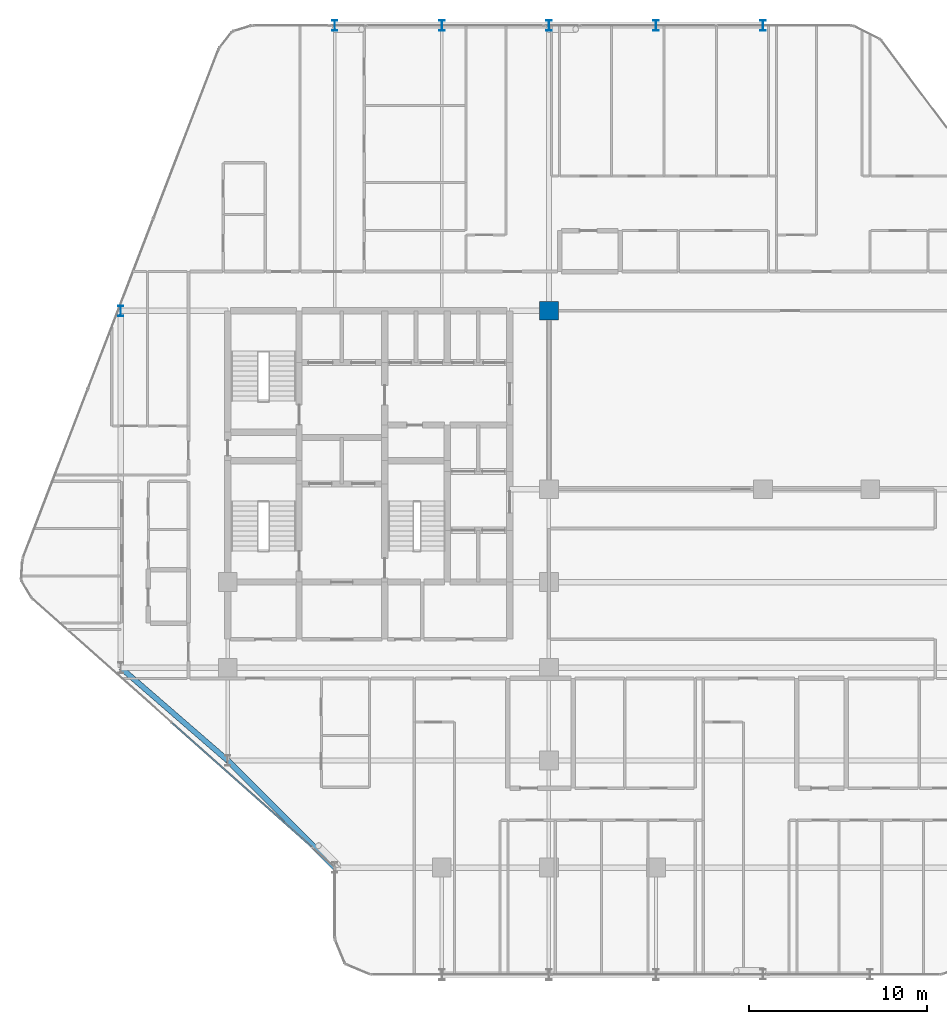
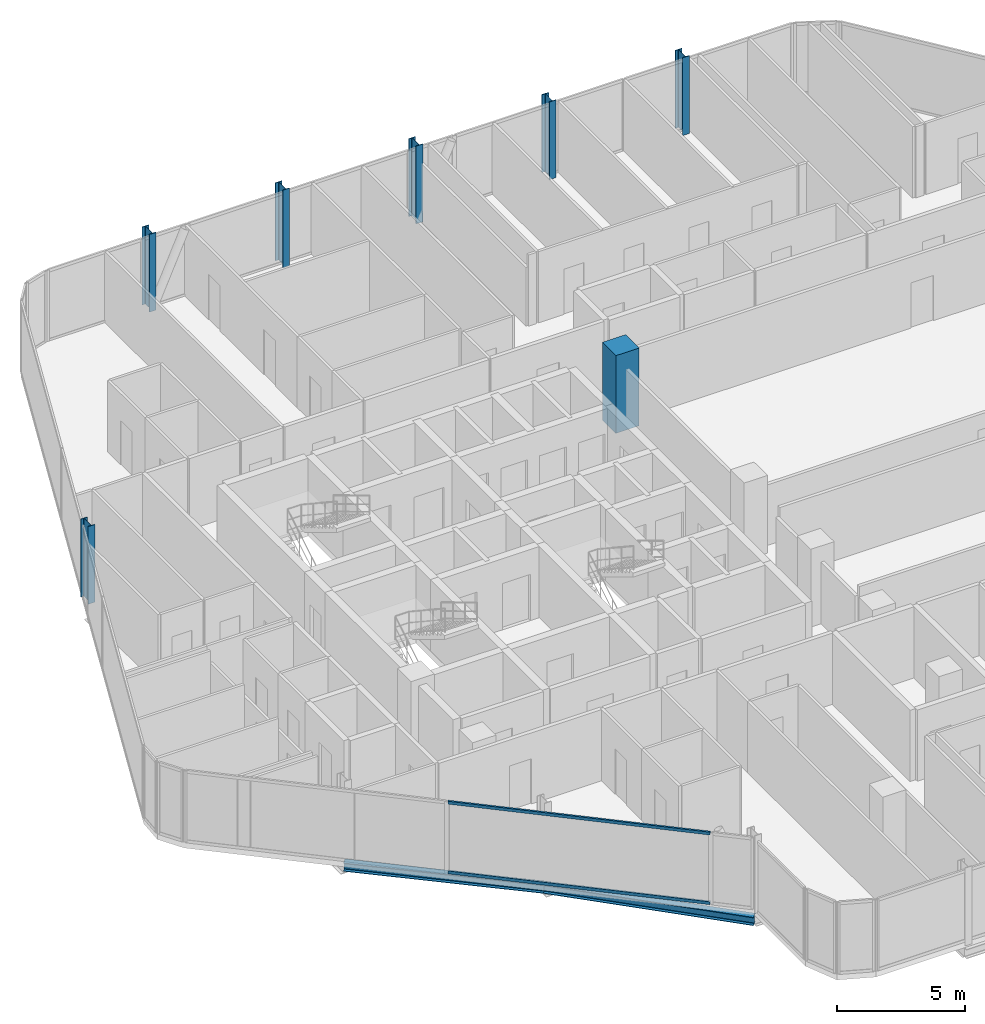
# One storey, part 2 of 30: 7 columns, 2 beams, 2 members, 1 element without a shape of its own.
"""IFC4 building model written with IfcOpenShell, lengths in metres."""

from ifc_helpers import new_model, si_unit, direction, frame, origin, origin_2d, place, context, subcontext, project, spatial, rectangle, hollow_rectangle, i_section, extrude, material, layer, layer_set, material_profile, profile_set, type_object, element, aggregate, save


model = new_model("IFC4")

# Units and contexts
model_context = context("Model", 3, precision=1e-05, world=origin(), true_north=direction((0.0, 1.0)))
body_context = subcontext(model_context, "Body", "Model", "MODEL_VIEW")
ifc_project = project(units=[si_unit("LENGTHUNIT", "METRE"), si_unit("AREAUNIT", "SQUARE_METRE"), si_unit("VOLUMEUNIT", "CUBIC_METRE"), si_unit("PLANEANGLEUNIT", "RADIAN"), si_unit("MASSUNIT", "GRAM", prefix="KILO")], contexts=[model_context])

# Site, building, storey
site_placement = place(None, origin())
site = spatial("IfcSite", under=ifc_project, at=site_placement, CompositionType="ELEMENT")
building_placement = place(site_placement, origin())
building = spatial("IfcBuilding", under=site, at=building_placement, Name="Keshet Zoharim Tower", CompositionType="ELEMENT")
storey_placement = place(building_placement, frame((0.0, 0.0, 90.89990234375)))
storey = spatial("IfcBuildingStorey", under=building, at=storey_placement, Name="L21", CompositionType="ELEMENT", Elevation=90.89990234375)

# Columns
ifc_material_1 = material(Name="Steel S355", Category="steel")
ifc_material_profile_1 = material_profile(ifc_material_1, i_section(OverallWidth=0.300048828125, OverallDepth=0.60009765625, WebThickness=0.015380859375, FlangeThickness=0.030029296875, FilletRadius=0.027099609375, at=origin_2d()), Name="HEB600")
ifc_profile_set_1 = profile_set([ifc_material_profile_1], Name="Steel S355")
column_type_1 = type_object("IfcColumnType", Name="COL-HEB600", PredefinedType="COLUMN", material=ifc_profile_set_1)
for number, where, z_axis, x_axis, name in (
    (1, (9.0, 37.89990234375, 0.0), (0.0, 0.0, 1.0), (1.0, 0.0, 0.0), "L21 Column 2H"),
    (2, (21.0, 53.89990234375, 0.0), (0.0, 0.0, 1.0), (1.0, 0.0, 0.0), "L21 Column 4L"),
    (3, (27.0, 53.89990234375, 0.0), (0.0, 0.0, 1.0), (1.0, 0.0, 0.0), "L21 Column 5L"),
    (4, (33.0, 53.89990234375, 0.0), (0.0, 0.0, 1.0), (1.0, 0.0, 0.0), "L21 Column 6L"),
    (5, (39.0, 53.89990234375, 0.0), (0.0, 0.0, 1.0), (1.0, 0.0, 0.0), "L21 Column 7L"),
    (6, (45.0, 53.89990234375, 0.0), (0.0, 0.0, 1.0), (1.0, 0.0, 0.0), "L21 Column 8L"),
):
    element("IfcColumn", number, at=place(storey_placement, frame(where, z_axis=z_axis, x_axis=x_axis)), inside=storey, type_object=column_type_1, Name=name, PredefinedType="COLUMN", context=body_context, shape_type="SweptSolid", body=[
        extrude(i_section(OverallWidth=0.300048828125, OverallDepth=0.60009765625, WebThickness=0.015380859375, FlangeThickness=0.030029296875, FilletRadius=0.027099609375, at=origin_2d()), origin(), (0.0, 0.0, 1.0), 3.7001953125),
    ])
ifc_material_2 = material(Name="Concrete C60/75", Category="concrete")
ifc_material_profile_2 = material_profile(ifc_material_2, rectangle(XDim=1.050048828125, YDim=1.050048828125, at=origin_2d()), Name="RC1050x1050")
ifc_profile_set_2 = profile_set([ifc_material_profile_2], Name="Concrete C60/75")
column_type_2 = type_object("IfcColumnType", Name="COL-RC1050", PredefinedType="COLUMN", material=ifc_profile_set_2)
column_placement = place(storey_placement, frame((33.0, 37.89990234375, 0.0), z_axis=(0.0, 0.0, 1.0), x_axis=(1.0, 0.0, 0.0)))
element("IfcColumn", 7, at=column_placement, inside=storey, type_object=column_type_2, Name="L21 Column 6H", PredefinedType="COLUMN", context=body_context, shape_type="SweptSolid", body=[
    extrude(rectangle(XDim=1.050048828125, YDim=1.050048828125, at=origin_2d()), origin(), (0.0, 0.0, 1.0), 3.7001953125),
])

# Beams
ifc_material_profile_3 = material_profile(ifc_material_1, i_section(OverallWidth=0.300048828125, OverallDepth=0.39990234375, WebThickness=0.013427734375, FlangeThickness=0.02392578125, FilletRadius=0.027099609375, at=origin_2d()), Name="HEB400")
ifc_profile_set_3 = profile_set([ifc_material_profile_3], Name="Steel S355")
beam_type = type_object("IfcBeamType", Name="BM-SPN-HB400", PredefinedType="SPANDREL", material=ifc_profile_set_3)
beam_1_placement = place(storey_placement, frame((21.0, 6.699951171875, -0.514892578125), z_axis=(-0.707106781187, 0.707106781187, 0.0), x_axis=(-0.707106781187, -0.707106781187, 0.0)))
element("IfcBeam", 8, at=beam_1_placement, inside=storey, type_object=beam_type, Name="L21 Perimeter Spandrel Beam 01", PredefinedType="SPANDREL", context=body_context, shape_type="SweptSolid", body=[
    extrude(i_section(OverallWidth=0.300048828125, OverallDepth=0.39990234375, WebThickness=0.013427734375, FlangeThickness=0.02392578125, FilletRadius=0.027099609375, at=origin_2d()), origin(), (0.0, 0.0, 1.0), 8.4853515625),
])
beam_2_placement = place(storey_placement, frame((9.0, 17.89990234375, -0.514892578125), z_axis=(0.755692126483, -0.654927026447, 0.0), x_axis=(0.654927026447, 0.755692126483, 0.0)))
element("IfcBeam", 9, at=beam_2_placement, inside=storey, type_object=beam_type, Name="L21 Perimeter Spandrel Beam 02", PredefinedType="SPANDREL", context=body_context, shape_type="SweptSolid", body=[
    extrude(i_section(OverallWidth=0.300048828125, OverallDepth=0.39990234375, WebThickness=0.013427734375, FlangeThickness=0.02392578125, FilletRadius=0.027099609375, at=origin_2d()), origin(), (0.0, 0.0, 1.0), 7.939697265625),
])

# Curtain wall, members
ifc_material_3 = material(Name="Aluminium 6063-T6", Category="aluminium")
ifc_layer = layer(ifc_material_3, 0.159912109375)
ifc_layer_set = layer_set([ifc_layer], Name="Aluminium 6063-T6")
curtain_wall_type = type_object("IfcCurtainWallType", Name="CW-SYS-03", PredefinedType="NOTDEFINED", material=ifc_layer_set)
curtain_wall_placement = place(storey_placement, origin())
curtain_wall = element("IfcCurtainWall", 10, at=curtain_wall_placement, inside=storey, type_object=curtain_wall_type, Name="L21 Unitised Curtain Wall 07 Part 2", PredefinedType="NOTDEFINED")
ifc_material_profile_4 = material_profile(ifc_material_3, hollow_rectangle(XDim=0.080078125, YDim=0.139892578125, WallThickness=0.00390625, at=origin_2d()), Name="TRN-80x140")
ifc_profile_set_4 = profile_set([ifc_material_profile_4], Name="Aluminium 6063-T6")
member_type = type_object("IfcMemberType", Name="CWT-T14", PredefinedType="USERDEFINED", material=ifc_profile_set_4)
member_1_placement = place(storey_placement, frame((19.684326171875, 7.869384765625, 0.03515625), z_axis=(-0.747406736814, 0.664366743421, 0.0), x_axis=(-0.664366743421, -0.747406736814, 0.0)))
member_1 = element("IfcMember", 11, at=member_1_placement, type_object=member_type, Name="CW-03 transom 1.1", ObjectType="TRANSOM", PredefinedType="USERDEFINED", context=body_context, shape_type="SweptSolid", body=[
    extrude(hollow_rectangle(XDim=0.080078125, YDim=0.139892578125, WallThickness=0.00390625, at=origin_2d()), origin(), (0.0, 0.0, 1.0), 10.43408203125),
])
member_2_placement = place(storey_placement, frame((19.684326171875, 7.869384765625, 3.35009765625), z_axis=(-0.747406736814, 0.664366743421, 0.0), x_axis=(-0.664366743421, -0.747406736814, 0.0)))
member_2 = element("IfcMember", 12, at=member_2_placement, type_object=member_type, Name="CW-03 transom 1.2", ObjectType="TRANSOM", PredefinedType="USERDEFINED", context=body_context, shape_type="SweptSolid", body=[
    extrude(hollow_rectangle(XDim=0.080078125, YDim=0.139892578125, WallThickness=0.00390625, at=origin_2d()), origin(), (0.0, 0.0, 1.0), 10.43408203125),
])
aggregate(curtain_wall, [member_1, member_2])

save(model, "model.ifc")
